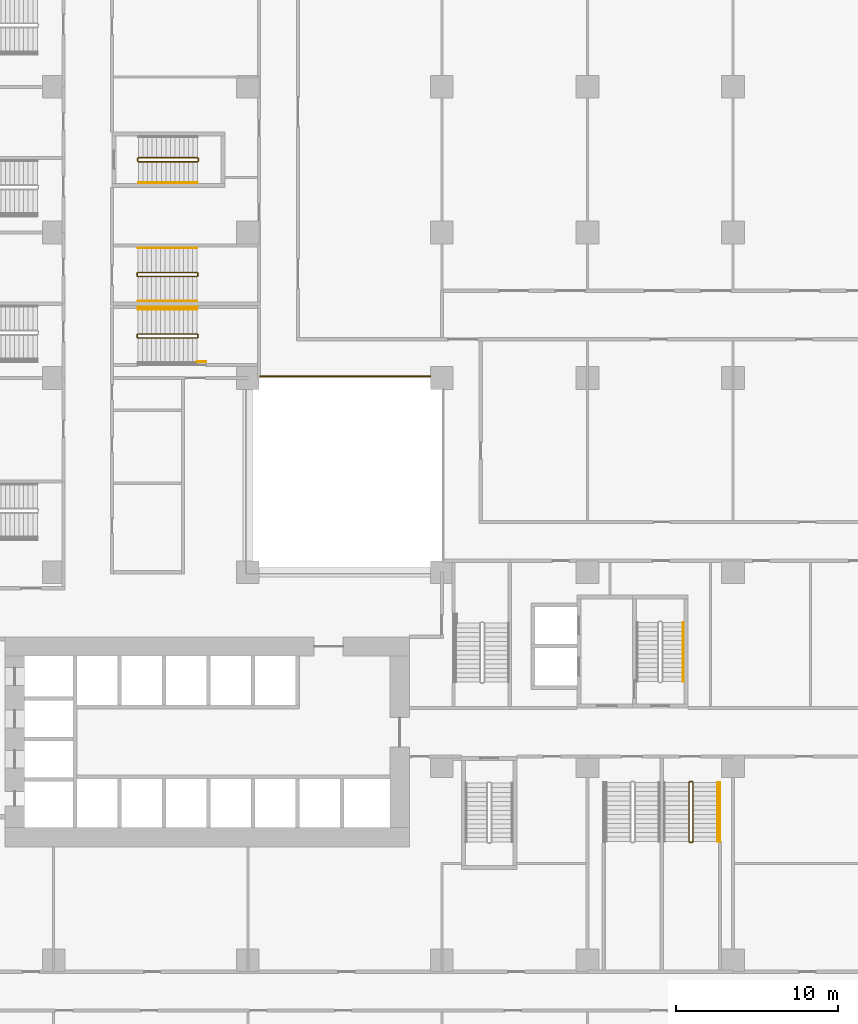
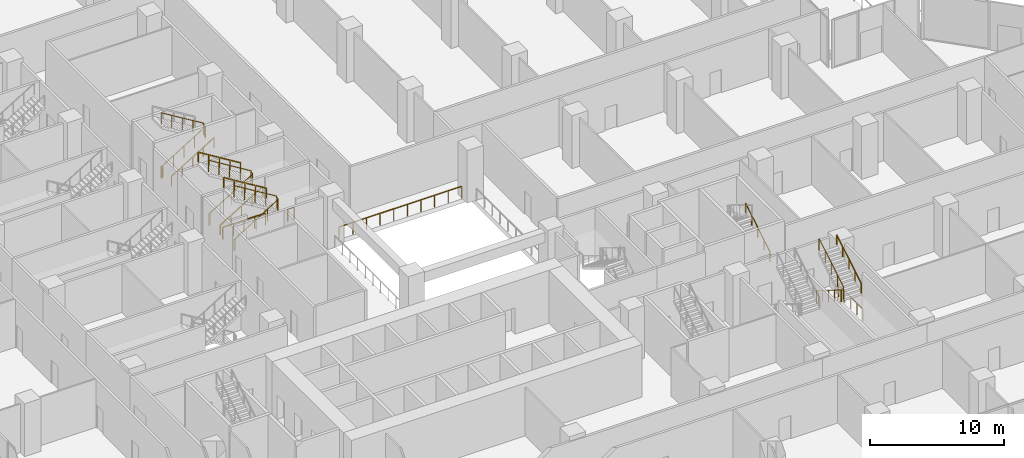
# One storey, part 30 of 31: 14 railings.
"""IFC4 building model written with IfcOpenShell, lengths in metres."""

from ifc_helpers import new_model, si_unit, direction, frame, origin, origin_2d, place, context, subcontext, project, spatial, rectangle, extrude, material, type_object, element, save


model = new_model("IFC4")

# Units and contexts
model_context = context("Model", 3, precision=1e-05, world=origin(), true_north=direction((0.0, 1.0)))
body_context = subcontext(model_context, "Body", "Model", "MODEL_VIEW")
ifc_project = project(units=[si_unit("LENGTHUNIT", "METRE"), si_unit("AREAUNIT", "SQUARE_METRE"), si_unit("VOLUMEUNIT", "CUBIC_METRE"), si_unit("PLANEANGLEUNIT", "RADIAN"), si_unit("MASSUNIT", "GRAM", prefix="KILO")], contexts=[model_context])

# Site, building, storey
site_placement = place(None, origin())
site = spatial("IfcSite", under=ifc_project, at=site_placement, CompositionType="ELEMENT")
building_placement = place(site_placement, origin())
building = spatial("IfcBuilding", under=site, at=building_placement, Name="Chenar Terraces", CompositionType="ELEMENT")
storey_placement = place(building_placement, frame((0.0, 0.0, 7.199951171875)))
storey = spatial("IfcBuildingStorey", under=building, at=storey_placement, Name="L01", CompositionType="ELEMENT", Elevation=7.199951171875)

# Railings
ifc_material_1 = material(Name="Powder-coated steel", Category="steel")
railing_type_1 = type_object("IfcRailingType", Name="Guard 1100 steel rail with glass infill", PredefinedType="GUARDRAIL", material=ifc_material_1)
railing_1_placement = place(storey_placement, frame((24.75, 36.10009765625, 0.0)))
element("IfcRailing", 1, at=railing_1_placement, inside=storey, type_object=railing_type_1, Name="Guard L01-2", PredefinedType="GUARDRAIL", context=body_context, shape_type="SweptSolid", body=[
    extrude(rectangle(XDim=0.06005859375, YDim=0.06005859375, at=origin_2d()), frame((0.0, 0.0, 1.070068359375), z_axis=(1.0, 0.0, 0.0), x_axis=(0.0, 1.0, 0.0)), (0.0, 0.0, 1.0), 10.550048828125),
    extrude(rectangle(XDim=0.050048828125, YDim=0.050048828125, at=origin_2d()), origin(), (0.0, 0.0, 1.0), 1.0400390625),
    extrude(rectangle(XDim=0.050048828125, YDim=0.050048828125, at=origin_2d()), frame((1.172119140625, 0.0, 0.0)), (0.0, 0.0, 1.0), 1.0400390625),
    extrude(rectangle(XDim=0.050048828125, YDim=0.050048828125, at=origin_2d()), frame((2.344482421875, 0.0, 0.0)), (0.0, 0.0, 1.0), 1.0400390625),
    extrude(rectangle(XDim=0.050048828125, YDim=0.050048828125, at=origin_2d()), frame((3.5166015625, 0.0, 0.0)), (0.0, 0.0, 1.0), 1.0400390625),
    extrude(rectangle(XDim=0.050048828125, YDim=0.050048828125, at=origin_2d()), frame((4.68896484375, 0.0, 0.0)), (0.0, 0.0, 1.0), 1.0400390625),
    extrude(rectangle(XDim=0.050048828125, YDim=0.050048828125, at=origin_2d()), frame((5.861083984375, 0.0, 0.0)), (0.0, 0.0, 1.0), 1.0400390625),
    extrude(rectangle(XDim=0.050048828125, YDim=0.050048828125, at=origin_2d()), frame((7.033447265625, 0.0, 0.0)), (0.0, 0.0, 1.0), 1.0400390625),
    extrude(rectangle(XDim=0.050048828125, YDim=0.050048828125, at=origin_2d()), frame((8.20556640625, 0.0, 0.0)), (0.0, 0.0, 1.0), 1.0400390625),
    extrude(rectangle(XDim=0.050048828125, YDim=0.050048828125, at=origin_2d()), frame((9.3779296875, 0.0, 0.0)), (0.0, 0.0, 1.0), 1.0400390625),
    extrude(rectangle(XDim=0.050048828125, YDim=0.050048828125, at=origin_2d()), frame((10.550048828125, 0.0, 0.0)), (0.0, 0.0, 1.0), 1.0400390625),
])
ifc_material_2 = material(Name="Powder-coated steel", Category="steel")
railing_type_2 = type_object("IfcRailingType", Name="Stair guard 1100", PredefinedType="GUARDRAIL", material=ifc_material_2)
railing_2_placement = place(storey_placement, frame((17.25, 49.625, 4.800048828125)))
element("IfcRailing", 2, at=railing_2_placement, inside=storey, type_object=railing_type_2, Name="L01 ST4 stair guard 1", PredefinedType="GUARDRAIL", context=body_context, shape_type="SweptSolid", body=[
    extrude(rectangle(XDim=0.048095703125, YDim=0.048095703125, at=origin_2d()), frame((0.0, 0.0, 1.076171875), z_axis=(0.852850264322, 0.0, -0.5221555579), x_axis=(0.0, 1.0, 0.0)), (0.0, 0.0, 1.0), 4.267822265625),
    extrude(rectangle(XDim=0.048095703125, YDim=0.048095703125, at=origin_2d()), frame((3.639892578125, 0.0, -1.15234375), z_axis=(0.269911200495, -0.269911200495, -0.924281281696), x_axis=(0.707106781187, 0.707106781187, 0.0)), (0.0, 0.0, 1.0), 0.185546875),
    extrude(rectangle(XDim=0.048095703125, YDim=0.048095703125, at=origin_2d()), frame((3.68994140625, -0.050048828125, -1.32373046875), z_axis=(0.0, -1.0, 0.0), x_axis=(1.0, 0.0, 0.0)), (0.0, 0.0, 1.0), 0.14990234375),
    extrude(rectangle(XDim=0.048095703125, YDim=0.048095703125, at=origin_2d()), frame((3.68994140625, -0.199951171875, -1.32373046875), z_axis=(-0.707106781187, -0.707106781187, 0.0), x_axis=(0.707106781187, -0.707106781187, 0.0)), (0.0, 0.0, 1.0), 0.07080078125),
    extrude(rectangle(XDim=0.048095703125, YDim=0.048095703125, at=origin_2d()), frame((3.639892578125, -0.25, -1.32373046875), z_axis=(-0.852824790078, 0.0, -0.522197163366), x_axis=(0.0, -1.0, 0.0)), (0.0, 0.0, 1.0), 4.26806640625),
    extrude(rectangle(XDim=0.048095703125, YDim=0.048095703125, at=origin_2d()), frame((0.0, -0.25, -3.552734375), z_axis=(-0.269911200495, 0.269911200495, -0.924281281696), x_axis=(-0.707106781187, -0.707106781187, 0.0)), (0.0, 0.0, 1.0), 0.185546875),
    extrude(rectangle(XDim=0.048095703125, YDim=0.048095703125, at=origin_2d()), frame((-0.050048828125, -0.199951171875, -3.72412109375), z_axis=(0.0, 1.0, 0.0), x_axis=(-1.0, 0.0, 0.0)), (0.0, 0.0, 1.0), 0.14990234375),
    extrude(rectangle(XDim=0.0419921875, YDim=0.0419921875, at=origin_2d()), origin(), (0.0, 0.0, 1.0), 1.052001953125),
    extrude(rectangle(XDim=0.0419921875, YDim=0.0419921875, at=origin_2d()), frame((0.909912109375, 0.0, -0.55712890625)), (0.0, 0.0, 1.0), 1.052001953125),
    extrude(rectangle(XDim=0.0419921875, YDim=0.0419921875, at=origin_2d()), frame((1.81982421875, 0.0, -1.1142578125)), (0.0, 0.0, 1.0), 1.052001953125),
    extrude(rectangle(XDim=0.0419921875, YDim=0.0419921875, at=origin_2d()), frame((2.72998046875, 0.0, -1.67138671875)), (0.0, 0.0, 1.0), 1.052001953125),
    extrude(rectangle(XDim=0.0419921875, YDim=0.0419921875, at=origin_2d()), frame((3.639892578125, 0.0, -2.228515625)), (0.0, 0.0, 1.0), 1.052001953125),
    extrude(rectangle(XDim=0.0419921875, YDim=0.0419921875, at=origin_2d()), frame((3.68994140625, -0.050048828125, -2.39990234375)), (0.0, 0.0, 1.0), 1.052001953125),
    extrude(rectangle(XDim=0.0419921875, YDim=0.0419921875, at=origin_2d()), frame((3.68994140625, -0.199951171875, -2.39990234375)), (0.0, 0.0, 1.0), 1.052001953125),
    extrude(rectangle(XDim=0.0419921875, YDim=0.0419921875, at=origin_2d()), frame((3.639892578125, -0.25, -2.39990234375)), (0.0, 0.0, 1.0), 1.052001953125),
    extrude(rectangle(XDim=0.0419921875, YDim=0.0419921875, at=origin_2d()), frame((2.72998046875, -0.25, -2.95703125)), (0.0, 0.0, 1.0), 1.052001953125),
    extrude(rectangle(XDim=0.0419921875, YDim=0.0419921875, at=origin_2d()), frame((1.81982421875, -0.25, -3.51416015625)), (0.0, 0.0, 1.0), 1.052001953125),
    extrude(rectangle(XDim=0.0419921875, YDim=0.0419921875, at=origin_2d()), frame((0.909912109375, -0.25, -4.071533203125)), (0.0, 0.0, 1.0), 1.052001953125),
    extrude(rectangle(XDim=0.0419921875, YDim=0.0419921875, at=origin_2d()), frame((0.0, -0.25, -4.628662109375)), (0.0, 0.0, 1.0), 1.052001953125),
    extrude(rectangle(XDim=0.0419921875, YDim=0.0419921875, at=origin_2d()), frame((-0.050048828125, -0.199951171875, -4.800048828125)), (0.0, 0.0, 1.0), 1.052001953125),
    extrude(rectangle(XDim=0.0419921875, YDim=0.0419921875, at=origin_2d()), frame((-0.050048828125, -0.050048828125, -4.800048828125)), (0.0, 0.0, 1.0), 1.052001953125),
])
railing_3_placement = place(storey_placement, frame((51.52490234375, 10.985107421875, 4.800048828125)))
element("IfcRailing", 3, at=railing_3_placement, inside=storey, type_object=railing_type_2, Name="L01 PS2 stair guard 1", PredefinedType="GUARDRAIL", context=body_context, shape_type="SweptSolid", body=[
    extrude(rectangle(XDim=0.048095703125, YDim=0.048095703125, at=origin_2d()), frame((0.0, 0.0, 1.076171875), z_axis=(0.0, -0.852865859571, -0.52213008492), x_axis=(1.0, 0.0, 0.0)), (0.0, 0.0, 1.0), 4.26806640625),
    extrude(rectangle(XDim=0.048095703125, YDim=0.048095703125, at=origin_2d()), frame((0.0, -3.64013671875, -1.15234375), z_axis=(-0.268689830376, -0.270006937388, -0.924609122178), x_axis=(0.708833529934, -0.705375805398, 0.0)), (0.0, 0.0, 1.0), 0.185302734375),
    extrude(rectangle(XDim=0.048095703125, YDim=0.048095703125, at=origin_2d()), frame((-0.0498046875, -3.690185546875, -1.32373046875), z_axis=(-1.0, 0.0, 0.0), x_axis=(0.0, -1.0, 0.0)), (0.0, 0.0, 1.0), 0.150146484375),
    extrude(rectangle(XDim=0.048095703125, YDim=0.048095703125, at=origin_2d()), frame((-0.199951171875, -3.690185546875, -1.32373046875), z_axis=(-0.707106781187, 0.707106781187, 0.0), x_axis=(-0.707106781187, -0.707106781187, 0.0)), (0.0, 0.0, 1.0), 0.07080078125),
    extrude(rectangle(XDim=0.048095703125, YDim=0.048095703125, at=origin_2d()), frame((-0.25, -3.64013671875, -1.32373046875), z_axis=(0.0, 0.852840387347, -0.522171689878), x_axis=(-1.0, 0.0, 0.0)), (0.0, 0.0, 1.0), 4.268310546875),
    extrude(rectangle(XDim=0.048095703125, YDim=0.048095703125, at=origin_2d()), frame((-0.25, 0.0, -3.552734375), z_axis=(0.270006937388, 0.268689830376, -0.924609122178), x_axis=(-0.705375805398, 0.708833529934, 0.0)), (0.0, 0.0, 1.0), 0.185302734375),
    extrude(rectangle(XDim=0.048095703125, YDim=0.048095703125, at=origin_2d()), frame((-0.199951171875, 0.0498046875, -3.72412109375), z_axis=(1.0, 0.0, 0.0), x_axis=(0.0, 1.0, 0.0)), (0.0, 0.0, 1.0), 0.150146484375),
    extrude(rectangle(XDim=0.0419921875, YDim=0.0419921875, at=origin_2d()), origin(), (0.0, 0.0, 1.0), 1.052001953125),
    extrude(rectangle(XDim=0.0419921875, YDim=0.0419921875, at=origin_2d()), frame((0.0, -0.91015625, -0.55712890625)), (0.0, 0.0, 1.0), 1.052001953125),
    extrude(rectangle(XDim=0.0419921875, YDim=0.0419921875, at=origin_2d()), frame((0.0, -1.820068359375, -1.1142578125)), (0.0, 0.0, 1.0), 1.052001953125),
    extrude(rectangle(XDim=0.0419921875, YDim=0.0419921875, at=origin_2d()), frame((0.0, -2.72998046875, -1.67138671875)), (0.0, 0.0, 1.0), 1.052001953125),
    extrude(rectangle(XDim=0.0419921875, YDim=0.0419921875, at=origin_2d()), frame((0.0, -3.64013671875, -2.228515625)), (0.0, 0.0, 1.0), 1.052001953125),
    extrude(rectangle(XDim=0.0419921875, YDim=0.0419921875, at=origin_2d()), frame((-0.0498046875, -3.690185546875, -2.39990234375)), (0.0, 0.0, 1.0), 1.052001953125),
    extrude(rectangle(XDim=0.0419921875, YDim=0.0419921875, at=origin_2d()), frame((-0.199951171875, -3.690185546875, -2.39990234375)), (0.0, 0.0, 1.0), 1.052001953125),
    extrude(rectangle(XDim=0.0419921875, YDim=0.0419921875, at=origin_2d()), frame((-0.25, -3.64013671875, -2.39990234375)), (0.0, 0.0, 1.0), 1.052001953125),
    extrude(rectangle(XDim=0.0419921875, YDim=0.0419921875, at=origin_2d()), frame((-0.25, -2.72998046875, -2.95703125)), (0.0, 0.0, 1.0), 1.052001953125),
    extrude(rectangle(XDim=0.0419921875, YDim=0.0419921875, at=origin_2d()), frame((-0.25, -1.820068359375, -3.51416015625)), (0.0, 0.0, 1.0), 1.052001953125),
    extrude(rectangle(XDim=0.0419921875, YDim=0.0419921875, at=origin_2d()), frame((-0.25, -0.91015625, -4.071533203125)), (0.0, 0.0, 1.0), 1.052001953125),
    extrude(rectangle(XDim=0.0419921875, YDim=0.0419921875, at=origin_2d()), frame((-0.25, 0.0, -4.628662109375)), (0.0, 0.0, 1.0), 1.052001953125),
    extrude(rectangle(XDim=0.0419921875, YDim=0.0419921875, at=origin_2d()), frame((-0.199951171875, 0.0498046875, -4.800048828125)), (0.0, 0.0, 1.0), 1.052001953125),
    extrude(rectangle(XDim=0.0419921875, YDim=0.0419921875, at=origin_2d()), frame((-0.0498046875, 0.0498046875, -4.800048828125)), (0.0, 0.0, 1.0), 1.052001953125),
])
railing_4_placement = place(storey_placement, frame((17.215087890625, 38.72509765625, 4.800048828125)))
element("IfcRailing", 4, at=railing_4_placement, inside=storey, type_object=railing_type_2, Name="L01 PS7 stair guard 1", PredefinedType="GUARDRAIL", context=body_context, shape_type="SweptSolid", body=[
    extrude(rectangle(XDim=0.048095703125, YDim=0.048095703125, at=origin_2d()), frame((0.0, 0.0, 1.076171875), z_axis=(0.852850264322, 0.0, -0.5221555579), x_axis=(0.0, 1.0, 0.0)), (0.0, 0.0, 1.0), 4.267822265625),
    extrude(rectangle(XDim=0.048095703125, YDim=0.048095703125, at=origin_2d()), frame((3.639892578125, 0.0, -1.15234375), z_axis=(0.269911200495, -0.269911200495, -0.924281281696), x_axis=(0.707106781187, 0.707106781187, 0.0)), (0.0, 0.0, 1.0), 0.185546875),
    extrude(rectangle(XDim=0.048095703125, YDim=0.048095703125, at=origin_2d()), frame((3.68994140625, -0.050048828125, -1.32373046875), z_axis=(0.0, -1.0, 0.0), x_axis=(1.0, 0.0, 0.0)), (0.0, 0.0, 1.0), 0.150146484375),
    extrude(rectangle(XDim=0.048095703125, YDim=0.048095703125, at=origin_2d()), frame((3.68994140625, -0.2001953125, -1.32373046875), z_axis=(-0.708833529934, -0.705375805398, 0.0), x_axis=(0.705375805398, -0.708833529934, 0.0)), (0.0, 0.0, 1.0), 0.070556640625),
    extrude(rectangle(XDim=0.048095703125, YDim=0.048095703125, at=origin_2d()), frame((3.639892578125, -0.25, -1.32373046875), z_axis=(-0.852824790078, 0.0, -0.522197163366), x_axis=(0.0, -1.0, 0.0)), (0.0, 0.0, 1.0), 4.26806640625),
    extrude(rectangle(XDim=0.048095703125, YDim=0.048095703125, at=origin_2d()), frame((0.0, -0.25, -3.552734375), z_axis=(-0.270006937388, 0.268689830376, -0.924609122178), x_axis=(-0.705375805398, -0.708833529934, 0.0)), (0.0, 0.0, 1.0), 0.185302734375),
    extrude(rectangle(XDim=0.048095703125, YDim=0.048095703125, at=origin_2d()), frame((-0.050048828125, -0.2001953125, -3.72412109375), z_axis=(0.0, 1.0, 0.0), x_axis=(-1.0, 0.0, 0.0)), (0.0, 0.0, 1.0), 0.150146484375),
    extrude(rectangle(XDim=0.0419921875, YDim=0.0419921875, at=origin_2d()), origin(), (0.0, 0.0, 1.0), 1.052001953125),
    extrude(rectangle(XDim=0.0419921875, YDim=0.0419921875, at=origin_2d()), frame((0.909912109375, 0.0, -0.55712890625)), (0.0, 0.0, 1.0), 1.052001953125),
    extrude(rectangle(XDim=0.0419921875, YDim=0.0419921875, at=origin_2d()), frame((1.81982421875, 0.0, -1.1142578125)), (0.0, 0.0, 1.0), 1.052001953125),
    extrude(rectangle(XDim=0.0419921875, YDim=0.0419921875, at=origin_2d()), frame((2.72998046875, 0.0, -1.67138671875)), (0.0, 0.0, 1.0), 1.052001953125),
    extrude(rectangle(XDim=0.0419921875, YDim=0.0419921875, at=origin_2d()), frame((3.639892578125, 0.0, -2.228515625)), (0.0, 0.0, 1.0), 1.052001953125),
    extrude(rectangle(XDim=0.0419921875, YDim=0.0419921875, at=origin_2d()), frame((3.68994140625, -0.050048828125, -2.39990234375)), (0.0, 0.0, 1.0), 1.052001953125),
    extrude(rectangle(XDim=0.0419921875, YDim=0.0419921875, at=origin_2d()), frame((3.68994140625, -0.2001953125, -2.39990234375)), (0.0, 0.0, 1.0), 1.052001953125),
    extrude(rectangle(XDim=0.0419921875, YDim=0.0419921875, at=origin_2d()), frame((3.639892578125, -0.25, -2.39990234375)), (0.0, 0.0, 1.0), 1.052001953125),
    extrude(rectangle(XDim=0.0419921875, YDim=0.0419921875, at=origin_2d()), frame((2.72998046875, -0.25, -2.95703125)), (0.0, 0.0, 1.0), 1.052001953125),
    extrude(rectangle(XDim=0.0419921875, YDim=0.0419921875, at=origin_2d()), frame((1.81982421875, -0.25, -3.51416015625)), (0.0, 0.0, 1.0), 1.052001953125),
    extrude(rectangle(XDim=0.0419921875, YDim=0.0419921875, at=origin_2d()), frame((0.909912109375, -0.25, -4.071533203125)), (0.0, 0.0, 1.0), 1.052001953125),
    extrude(rectangle(XDim=0.0419921875, YDim=0.0419921875, at=origin_2d()), frame((0.0, -0.25, -4.628662109375)), (0.0, 0.0, 1.0), 1.052001953125),
    extrude(rectangle(XDim=0.0419921875, YDim=0.0419921875, at=origin_2d()), frame((-0.050048828125, -0.2001953125, -4.800048828125)), (0.0, 0.0, 1.0), 1.052001953125),
    extrude(rectangle(XDim=0.0419921875, YDim=0.0419921875, at=origin_2d()), frame((-0.050048828125, -0.050048828125, -4.800048828125)), (0.0, 0.0, 1.0), 1.052001953125),
])
railing_5_placement = place(storey_placement, frame((17.215087890625, 42.52490234375, 4.800048828125)))
element("IfcRailing", 5, at=railing_5_placement, inside=storey, type_object=railing_type_2, Name="L01 PS8 stair guard 1", PredefinedType="GUARDRAIL", context=body_context, shape_type="SweptSolid", body=[
    extrude(rectangle(XDim=0.048095703125, YDim=0.048095703125, at=origin_2d()), frame((0.0, 0.0, 1.076171875), z_axis=(0.852850264322, 0.0, -0.5221555579), x_axis=(0.0, 1.0, 0.0)), (0.0, 0.0, 1.0), 4.267822265625),
    extrude(rectangle(XDim=0.048095703125, YDim=0.048095703125, at=origin_2d()), frame((3.639892578125, 0.0, -1.15234375), z_axis=(0.270006937388, -0.268689830376, -0.924609122178), x_axis=(0.705375805398, 0.708833529934, 0.0)), (0.0, 0.0, 1.0), 0.185302734375),
    extrude(rectangle(XDim=0.048095703125, YDim=0.048095703125, at=origin_2d()), frame((3.68994140625, -0.0498046875, -1.32373046875), z_axis=(0.0, -1.0, 0.0), x_axis=(1.0, 0.0, 0.0)), (0.0, 0.0, 1.0), 0.150146484375),
    extrude(rectangle(XDim=0.048095703125, YDim=0.048095703125, at=origin_2d()), frame((3.68994140625, -0.199951171875, -1.32373046875), z_axis=(-0.707106781187, -0.707106781187, 0.0), x_axis=(0.707106781187, -0.707106781187, 0.0)), (0.0, 0.0, 1.0), 0.07080078125),
    extrude(rectangle(XDim=0.048095703125, YDim=0.048095703125, at=origin_2d()), frame((3.639892578125, -0.25, -1.32373046875), z_axis=(-0.852824790078, 0.0, -0.522197163366), x_axis=(0.0, -1.0, 0.0)), (0.0, 0.0, 1.0), 4.26806640625),
    extrude(rectangle(XDim=0.048095703125, YDim=0.048095703125, at=origin_2d()), frame((0.0, -0.25, -3.552734375), z_axis=(-0.269911200495, 0.269911200495, -0.924281281696), x_axis=(-0.707106781187, -0.707106781187, 0.0)), (0.0, 0.0, 1.0), 0.185546875),
    extrude(rectangle(XDim=0.048095703125, YDim=0.048095703125, at=origin_2d()), frame((-0.050048828125, -0.199951171875, -3.72412109375), z_axis=(0.0, 1.0, 0.0), x_axis=(-1.0, 0.0, 0.0)), (0.0, 0.0, 1.0), 0.150146484375),
    extrude(rectangle(XDim=0.0419921875, YDim=0.0419921875, at=origin_2d()), origin(), (0.0, 0.0, 1.0), 1.052001953125),
    extrude(rectangle(XDim=0.0419921875, YDim=0.0419921875, at=origin_2d()), frame((0.909912109375, 0.0, -0.55712890625)), (0.0, 0.0, 1.0), 1.052001953125),
    extrude(rectangle(XDim=0.0419921875, YDim=0.0419921875, at=origin_2d()), frame((1.81982421875, 0.0, -1.1142578125)), (0.0, 0.0, 1.0), 1.052001953125),
    extrude(rectangle(XDim=0.0419921875, YDim=0.0419921875, at=origin_2d()), frame((2.72998046875, 0.0, -1.67138671875)), (0.0, 0.0, 1.0), 1.052001953125),
    extrude(rectangle(XDim=0.0419921875, YDim=0.0419921875, at=origin_2d()), frame((3.639892578125, 0.0, -2.228515625)), (0.0, 0.0, 1.0), 1.052001953125),
    extrude(rectangle(XDim=0.0419921875, YDim=0.0419921875, at=origin_2d()), frame((3.68994140625, -0.0498046875, -2.39990234375)), (0.0, 0.0, 1.0), 1.052001953125),
    extrude(rectangle(XDim=0.0419921875, YDim=0.0419921875, at=origin_2d()), frame((3.68994140625, -0.199951171875, -2.39990234375)), (0.0, 0.0, 1.0), 1.052001953125),
    extrude(rectangle(XDim=0.0419921875, YDim=0.0419921875, at=origin_2d()), frame((3.639892578125, -0.25, -2.39990234375)), (0.0, 0.0, 1.0), 1.052001953125),
    extrude(rectangle(XDim=0.0419921875, YDim=0.0419921875, at=origin_2d()), frame((2.72998046875, -0.25, -2.95703125)), (0.0, 0.0, 1.0), 1.052001953125),
    extrude(rectangle(XDim=0.0419921875, YDim=0.0419921875, at=origin_2d()), frame((1.81982421875, -0.25, -3.51416015625)), (0.0, 0.0, 1.0), 1.052001953125),
    extrude(rectangle(XDim=0.0419921875, YDim=0.0419921875, at=origin_2d()), frame((0.909912109375, -0.25, -4.071533203125)), (0.0, 0.0, 1.0), 1.052001953125),
    extrude(rectangle(XDim=0.0419921875, YDim=0.0419921875, at=origin_2d()), frame((0.0, -0.25, -4.628662109375)), (0.0, 0.0, 1.0), 1.052001953125),
    extrude(rectangle(XDim=0.0419921875, YDim=0.0419921875, at=origin_2d()), frame((-0.050048828125, -0.199951171875, -4.800048828125)), (0.0, 0.0, 1.0), 1.052001953125),
    extrude(rectangle(XDim=0.0419921875, YDim=0.0419921875, at=origin_2d()), frame((-0.050048828125, -0.0498046875, -4.800048828125)), (0.0, 0.0, 1.0), 1.052001953125),
])
railing_6_placement = place(storey_placement, frame((53.18994140625, 7.32421875, 0.0)))
element("IfcRailing", 6, at=railing_6_placement, inside=storey, type_object=railing_type_2, Name="L01 PS2 stair guard 101", PredefinedType="GUARDRAIL", context=body_context, shape_type="SweptSolid", body=[
    extrude(rectangle(XDim=0.048095703125, YDim=0.048095703125, at=origin_2d()), frame((0.0, 0.0, 1.076171875), z_axis=(0.0, 1.0, 0.0), x_axis=(-1.0, 0.0, 0.0)), (0.0, 0.0, 1.0), 3.660888671875),
    extrude(rectangle(XDim=0.0419921875, YDim=0.0419921875, at=origin_2d()), origin(), (0.0, 0.0, 1.0), 1.052001953125),
    extrude(rectangle(XDim=0.0419921875, YDim=0.0419921875, at=origin_2d()), frame((0.0, 0.915283203125, 0.0)), (0.0, 0.0, 1.0), 1.052001953125),
    extrude(rectangle(XDim=0.0419921875, YDim=0.0419921875, at=origin_2d()), frame((0.0, 1.83056640625, 0.0)), (0.0, 0.0, 1.0), 1.052001953125),
    extrude(rectangle(XDim=0.0419921875, YDim=0.0419921875, at=origin_2d()), frame((0.0, 2.74560546875, 0.0)), (0.0, 0.0, 1.0), 1.052001953125),
    extrude(rectangle(XDim=0.0419921875, YDim=0.0419921875, at=origin_2d()), frame((0.0, 3.660888671875, 0.0)), (0.0, 0.0, 1.0), 1.052001953125),
])
railing_7_placement = place(storey_placement, frame((20.8818359375, 40.389892578125, 0.0)))
element("IfcRailing", 7, at=railing_7_placement, inside=storey, type_object=railing_type_2, Name="L01 PS7 stair guard 102", PredefinedType="GUARDRAIL", context=body_context, shape_type="SweptSolid", body=[
    extrude(rectangle(XDim=0.048095703125, YDim=0.048095703125, at=origin_2d()), frame((0.0, 0.0, 1.076171875), z_axis=(-1.0, 0.0, 0.0), x_axis=(0.0, -1.0, 0.0)), (0.0, 0.0, 1.0), 3.666748046875),
    extrude(rectangle(XDim=0.0419921875, YDim=0.0419921875, at=origin_2d()), origin(), (0.0, 0.0, 1.0), 1.052001953125),
    extrude(rectangle(XDim=0.0419921875, YDim=0.0419921875, at=origin_2d()), frame((-0.916748046875, 0.0, 0.0)), (0.0, 0.0, 1.0), 1.052001953125),
    extrude(rectangle(XDim=0.0419921875, YDim=0.0419921875, at=origin_2d()), frame((-1.83349609375, 0.0, 0.0)), (0.0, 0.0, 1.0), 1.052001953125),
    extrude(rectangle(XDim=0.0419921875, YDim=0.0419921875, at=origin_2d()), frame((-2.75, 0.0, 0.0)), (0.0, 0.0, 1.0), 1.052001953125),
    extrude(rectangle(XDim=0.0419921875, YDim=0.0419921875, at=origin_2d()), frame((-3.666748046875, 0.0, 0.0)), (0.0, 0.0, 1.0), 1.052001953125),
])
railing_8_placement = place(storey_placement, frame((20.85498046875, 37.010009765625, 2.400146484375)))
element("IfcRailing", 8, at=railing_8_placement, inside=storey, type_object=railing_type_2, Name="L01 PS7 stair guard 201", PredefinedType="GUARDRAIL", context=body_context, shape_type="SweptSolid", body=[
    extrude(rectangle(XDim=0.048095703125, YDim=0.048095703125, at=origin_2d()), frame((0.0, 0.0, 1.076171875), z_axis=(1.0, 0.0, 0.0), x_axis=(0.0, 1.0, 0.0)), (0.0, 0.0, 1.0), 0.555908203125),
    extrude(rectangle(XDim=0.0419921875, YDim=0.0419921875, at=origin_2d()), origin(), (0.0, 0.0, 1.0), 1.052001953125),
    extrude(rectangle(XDim=0.0419921875, YDim=0.0419921875, at=origin_2d()), frame((0.555908203125, 0.0, 0.0)), (0.0, 0.0, 1.0), 1.052001953125),
])
ifc_material_3 = material(Name="Powder-coated steel", Category="steel")
railing_type_3 = type_object("IfcRailingType", Name="Stair handrail 900", PredefinedType="HANDRAIL", material=ifc_material_3)
railing_9_placement = place(storey_placement, frame((50.925048828125, 17.25, 0.17138671875)))
element("IfcRailing", 9, at=railing_9_placement, inside=storey, type_object=railing_type_3, Name="L01 ST3 stair handrail 1", PredefinedType="HANDRAIL", context=body_context, shape_type="SweptSolid", body=[
    extrude(rectangle(XDim=0.048095703125, YDim=0.048095703125, at=origin_2d()), frame((0.0, 0.0, 0.8759765625), z_axis=(0.0, 0.852824790078, 0.522197163366), x_axis=(-1.0, 0.0, 0.0)), (0.0, 0.0, 1.0), 4.26806640625),
    extrude(rectangle(XDim=0.0419921875, YDim=0.0419921875, at=origin_2d()), origin(), (0.0, 0.0, 1.0), 0.851806640625),
    extrude(rectangle(XDim=0.0419921875, YDim=0.0419921875, at=origin_2d()), frame((0.0, 0.909912109375, 0.55712890625)), (0.0, 0.0, 1.0), 0.851806640625),
    extrude(rectangle(XDim=0.0419921875, YDim=0.0419921875, at=origin_2d()), frame((0.0, 1.81982421875, 1.1142578125)), (0.0, 0.0, 1.0), 0.851806640625),
    extrude(rectangle(XDim=0.0419921875, YDim=0.0419921875, at=origin_2d()), frame((0.0, 2.72998046875, 1.671630859375)), (0.0, 0.0, 1.0), 0.851806640625),
    extrude(rectangle(XDim=0.0419921875, YDim=0.0419921875, at=origin_2d()), frame((0.0, 3.639892578125, 2.228759765625)), (0.0, 0.0, 1.0), 0.851806640625),
])
railing_10_placement = place(storey_placement, frame((17.25, 48.074951171875, 0.17138671875)))
element("IfcRailing", 10, at=railing_10_placement, inside=storey, type_object=railing_type_3, Name="L01 ST4 stair handrail 1", PredefinedType="HANDRAIL", context=body_context, shape_type="SweptSolid", body=[
    extrude(rectangle(XDim=0.048095703125, YDim=0.048095703125, at=origin_2d()), frame((0.0, 0.0, 0.8759765625), z_axis=(0.852824790078, 0.0, 0.522197163366), x_axis=(0.0, 1.0, 0.0)), (0.0, 0.0, 1.0), 4.26806640625),
    extrude(rectangle(XDim=0.0419921875, YDim=0.0419921875, at=origin_2d()), origin(), (0.0, 0.0, 1.0), 0.851806640625),
    extrude(rectangle(XDim=0.0419921875, YDim=0.0419921875, at=origin_2d()), frame((0.909912109375, 0.0, 0.55712890625)), (0.0, 0.0, 1.0), 0.851806640625),
    extrude(rectangle(XDim=0.0419921875, YDim=0.0419921875, at=origin_2d()), frame((1.81982421875, 0.0, 1.1142578125)), (0.0, 0.0, 1.0), 0.851806640625),
    extrude(rectangle(XDim=0.0419921875, YDim=0.0419921875, at=origin_2d()), frame((2.72998046875, 0.0, 1.671630859375)), (0.0, 0.0, 1.0), 0.851806640625),
    extrude(rectangle(XDim=0.0419921875, YDim=0.0419921875, at=origin_2d()), frame((3.639892578125, 0.0, 2.228759765625)), (0.0, 0.0, 1.0), 0.851806640625),
])
railing_11_placement = place(storey_placement, frame((53.0400390625, 7.344970703125, 2.571533203125)))
element("IfcRailing", 11, at=railing_11_placement, inside=storey, type_object=railing_type_3, Name="L01 PS2 stair handrail 2", PredefinedType="HANDRAIL", context=body_context, shape_type="SweptSolid", body=[
    extrude(rectangle(XDim=0.048095703125, YDim=0.048095703125, at=origin_2d()), frame((0.0, 0.0, 0.8759765625), z_axis=(0.0, 0.852865859571, 0.52213008492), x_axis=(-1.0, 0.0, 0.0)), (0.0, 0.0, 1.0), 4.26806640625),
    extrude(rectangle(XDim=0.0419921875, YDim=0.0419921875, at=origin_2d()), origin(), (0.0, 0.0, 1.0), 0.851806640625),
    extrude(rectangle(XDim=0.0419921875, YDim=0.0419921875, at=origin_2d()), frame((0.0, 0.91015625, 0.55712890625)), (0.0, 0.0, 1.0), 0.851806640625),
    extrude(rectangle(XDim=0.0419921875, YDim=0.0419921875, at=origin_2d()), frame((0.0, 1.820068359375, 1.1142578125)), (0.0, 0.0, 1.0), 0.851806640625),
    extrude(rectangle(XDim=0.0419921875, YDim=0.0419921875, at=origin_2d()), frame((0.0, 2.72998046875, 1.67138671875)), (0.0, 0.0, 1.0), 0.851806640625),
    extrude(rectangle(XDim=0.0419921875, YDim=0.0419921875, at=origin_2d()), frame((0.0, 3.64013671875, 2.228515625)), (0.0, 0.0, 1.0), 0.851806640625),
])
railing_12_placement = place(storey_placement, frame((20.85498046875, 40.239990234375, 2.571533203125)))
element("IfcRailing", 12, at=railing_12_placement, inside=storey, type_object=railing_type_3, Name="L01 PS7 stair handrail 2", PredefinedType="HANDRAIL", context=body_context, shape_type="SweptSolid", body=[
    extrude(rectangle(XDim=0.048095703125, YDim=0.048095703125, at=origin_2d()), frame((0.0, 0.0, 0.8759765625), z_axis=(-0.852850264322, 0.0, 0.5221555579), x_axis=(0.0, -1.0, 0.0)), (0.0, 0.0, 1.0), 4.267822265625),
    extrude(rectangle(XDim=0.0419921875, YDim=0.0419921875, at=origin_2d()), origin(), (0.0, 0.0, 1.0), 0.851806640625),
    extrude(rectangle(XDim=0.0419921875, YDim=0.0419921875, at=origin_2d()), frame((-0.909912109375, 0.0, 0.55712890625)), (0.0, 0.0, 1.0), 0.851806640625),
    extrude(rectangle(XDim=0.0419921875, YDim=0.0419921875, at=origin_2d()), frame((-1.81982421875, 0.0, 1.1142578125)), (0.0, 0.0, 1.0), 0.851806640625),
    extrude(rectangle(XDim=0.0419921875, YDim=0.0419921875, at=origin_2d()), frame((-2.72998046875, 0.0, 1.67138671875)), (0.0, 0.0, 1.0), 0.851806640625),
    extrude(rectangle(XDim=0.0419921875, YDim=0.0419921875, at=origin_2d()), frame((-3.639892578125, 0.0, 2.228515625)), (0.0, 0.0, 1.0), 0.851806640625),
])
railing_13_placement = place(storey_placement, frame((17.215087890625, 40.760009765625, 0.17138671875)))
element("IfcRailing", 13, at=railing_13_placement, inside=storey, type_object=railing_type_3, Name="L01 PS8 stair handrail 1", PredefinedType="HANDRAIL", context=body_context, shape_type="SweptSolid", body=[
    extrude(rectangle(XDim=0.048095703125, YDim=0.048095703125, at=origin_2d()), frame((0.0, 0.0, 0.8759765625), z_axis=(0.852824790078, 0.0, 0.522197163366), x_axis=(0.0, 1.0, 0.0)), (0.0, 0.0, 1.0), 4.26806640625),
    extrude(rectangle(XDim=0.0419921875, YDim=0.0419921875, at=origin_2d()), origin(), (0.0, 0.0, 1.0), 0.851806640625),
    extrude(rectangle(XDim=0.0419921875, YDim=0.0419921875, at=origin_2d()), frame((0.909912109375, 0.0, 0.55712890625)), (0.0, 0.0, 1.0), 0.851806640625),
    extrude(rectangle(XDim=0.0419921875, YDim=0.0419921875, at=origin_2d()), frame((1.81982421875, 0.0, 1.1142578125)), (0.0, 0.0, 1.0), 0.851806640625),
    extrude(rectangle(XDim=0.0419921875, YDim=0.0419921875, at=origin_2d()), frame((2.72998046875, 0.0, 1.671630859375)), (0.0, 0.0, 1.0), 0.851806640625),
    extrude(rectangle(XDim=0.0419921875, YDim=0.0419921875, at=origin_2d()), frame((3.639892578125, 0.0, 2.228759765625)), (0.0, 0.0, 1.0), 0.851806640625),
])
railing_14_placement = place(storey_placement, frame((20.85498046875, 44.0400390625, 2.571533203125)))
element("IfcRailing", 14, at=railing_14_placement, inside=storey, type_object=railing_type_3, Name="L01 PS8 stair handrail 2", PredefinedType="HANDRAIL", context=body_context, shape_type="SweptSolid", body=[
    extrude(rectangle(XDim=0.048095703125, YDim=0.048095703125, at=origin_2d()), frame((0.0, 0.0, 0.8759765625), z_axis=(-0.852850264322, 0.0, 0.5221555579), x_axis=(0.0, -1.0, 0.0)), (0.0, 0.0, 1.0), 4.267822265625),
    extrude(rectangle(XDim=0.0419921875, YDim=0.0419921875, at=origin_2d()), origin(), (0.0, 0.0, 1.0), 0.851806640625),
    extrude(rectangle(XDim=0.0419921875, YDim=0.0419921875, at=origin_2d()), frame((-0.909912109375, 0.0, 0.55712890625)), (0.0, 0.0, 1.0), 0.851806640625),
    extrude(rectangle(XDim=0.0419921875, YDim=0.0419921875, at=origin_2d()), frame((-1.81982421875, 0.0, 1.1142578125)), (0.0, 0.0, 1.0), 0.851806640625),
    extrude(rectangle(XDim=0.0419921875, YDim=0.0419921875, at=origin_2d()), frame((-2.72998046875, 0.0, 1.67138671875)), (0.0, 0.0, 1.0), 0.851806640625),
    extrude(rectangle(XDim=0.0419921875, YDim=0.0419921875, at=origin_2d()), frame((-3.639892578125, 0.0, 2.228515625)), (0.0, 0.0, 1.0), 0.851806640625),
])

save(model, "model.ifc")
